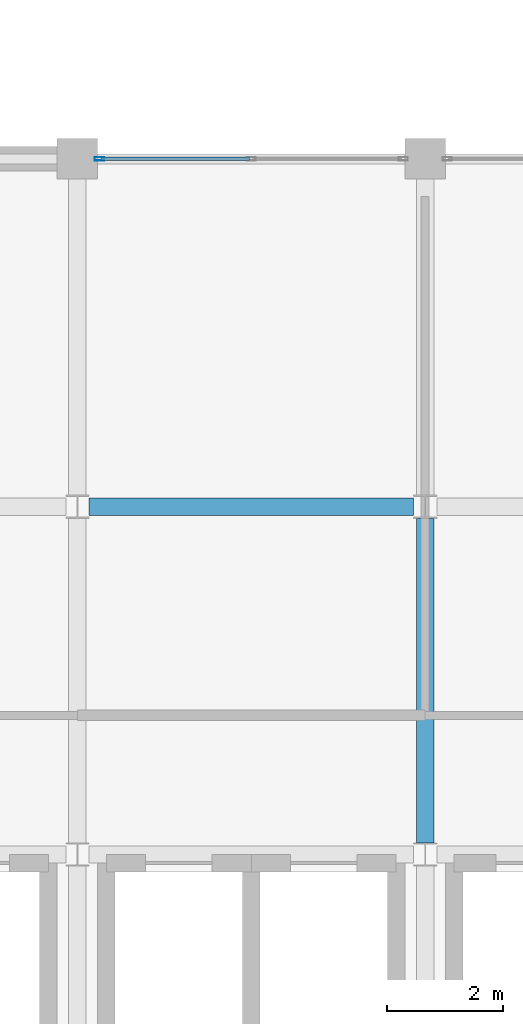
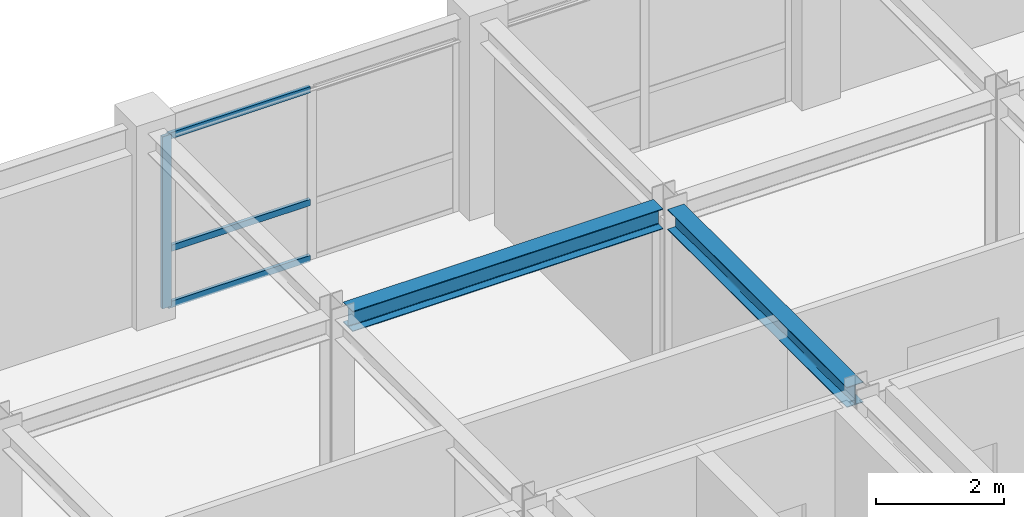
# One storey, part 15 of 25: 4 members, 2 beams, 1 element without a shape of its own.
"""IFC4 building model written with IfcOpenShell, lengths in metres."""

import ifcopenshell
import ifcopenshell.guid

model = None  # the IFC model being written
_history = None  # IfcOwnerHistory: only IFC2X3 demands one
_inside = {}  # id of a spatial element -> (the spatial element, [elements in it])
_under = {}  # id of a project, library or spatial element -> (it, [spatial elements below it])
_declared = {}  # id of a project -> (the project, [libraries it declares])
_typed = {}  # id of a type object -> (the type object, [elements of that type])
_made_of = {}  # id of a material, layer set ... -> (it, [elements and type objects made of it])


def new_model(schema):
    """Start an empty IFC model of exactly this schema.

    Asked for "IFC4X3", IfcOpenShell would pick the latest addendum, in which some entities
    have other attributes; the version numbers below select the first issue.
    IFC2X3 requires an IfcOwnerHistory on every rooted entity: one is made here for all.
    """
    global model, _history
    if schema == "IFC4X3":
        model = ifcopenshell.file(schema_version=(4, 3, 0, 0))
    else:
        model = ifcopenshell.file(schema=schema)
    _inside.clear()
    _under.clear()
    _declared.clear()
    _typed.clear()
    _made_of.clear()
    _history = None
    if model.schema == "IFC2X3":
        org = make("IfcOrganization", Name="unknown")
        user = make(
            "IfcPersonAndOrganization",
            ThePerson=make("IfcPerson", FamilyName="unknown"),
            TheOrganization=org,
        )
        app = make(
            "IfcApplication",
            ApplicationDeveloper=org,
            Version="unknown",
            ApplicationFullName="unknown",
            ApplicationIdentifier="unknown",
        )
        _history = make(
            "IfcOwnerHistory",
            OwningUser=user,
            OwningApplication=app,
            ChangeAction="ADDED",
            CreationDate=0,
        )
    return model


def make(cls, **values):
    """One entity of the class cls with the attributes given. An attribute that is None is left unset."""
    return model.create_entity(
        cls, **{name: value for name, value in values.items() if value is not None}
    )


def rooted(cls, **values):
    """An entity with a GlobalId (a new one), such as an element, a storey or a relation."""
    return make(cls, GlobalId=ifcopenshell.guid.new(), OwnerHistory=_history, **values)


def si_unit(unit_type, name, prefix=None):
    """IfcSIUnit, for example si_unit("LENGTHUNIT", "METRE", prefix="MILLI")."""
    return make("IfcSIUnit", UnitType=unit_type, Prefix=prefix, Name=name)


def assignment(units):
    """IfcUnitAssignment: the units of a project."""
    return None if units is None else make("IfcUnitAssignment", Units=units)


def point(xyz):
    """IfcCartesianPoint."""
    return None if xyz is None else make("IfcCartesianPoint", Coordinates=xyz)


def direction(xyz):
    """IfcDirection."""
    return None if xyz is None else make("IfcDirection", DirectionRatios=xyz)


def frame(location, z_axis=None, x_axis=None):
    """IfcAxis2Placement3D, a coordinate frame: its origin and axes. An axis left out is left unset."""
    return make(
        "IfcAxis2Placement3D",
        Location=point(location),
        Axis=direction(z_axis),
        RefDirection=direction(x_axis),
    )


def frame_2d(location, x_axis=None):
    """IfcAxis2Placement2D, a coordinate frame in the plane: its origin and x axis."""
    return make(
        "IfcAxis2Placement2D", Location=point(location), RefDirection=direction(x_axis)
    )


def origin():
    """The frame at (0, 0, 0) with its axes left unset."""
    return frame((0.0, 0.0, 0.0))


def origin_2d():
    """The frame at (0, 0) in the plane with its x axis left unset."""
    return frame_2d((0.0, 0.0))


def place(relative_to, where):
    """IfcLocalPlacement: puts the frame where relative to a parent placement (None: the world)."""
    return make(
        "IfcLocalPlacement", PlacementRelTo=relative_to, RelativePlacement=where
    )


def context(
    kind, dimensions, precision=None, world=None, true_north=None, identifier=None
):
    """IfcGeometricRepresentationContext, for example the 3D "Model" context."""
    return make(
        "IfcGeometricRepresentationContext",
        ContextIdentifier=identifier,
        ContextType=kind,
        CoordinateSpaceDimension=dimensions,
        Precision=precision,
        WorldCoordinateSystem=world,
        TrueNorth=true_north,
    )


def subcontext(parent, identifier, kind, view, scale=None):
    """IfcGeometricRepresentationSubContext, for example "Body" below "Model"."""
    return make(
        "IfcGeometricRepresentationSubContext",
        ContextIdentifier=identifier,
        ContextType=kind,
        ParentContext=parent,
        TargetScale=scale,
        TargetView=view,
    )


def project(units=None, contexts=None):
    """IfcProject with its units and contexts."""
    return rooted(
        "IfcProject",
        Name="project",
        RepresentationContexts=contexts,
        UnitsInContext=assignment(units),
    )


def spatial(cls, under=None, at=None, **own):
    """A site, building, storey or space (cls), placed at a placement, below another one or the project."""
    s = rooted(cls, ObjectPlacement=at, **own)
    if under is not None:
        _under.setdefault(under.id(), (under, []))[1].append(s)
    return s


def profile(cls, at=None, kind="AREA", **sizes):
    """A parametric profile (cls). Its sizes go by their IFC names, for example OverallWidth=200.0."""
    return make(cls, ProfileType=kind, Position=at, **sizes)


def hollow_rectangle(**sizes):
    """IfcRectangleHollowProfileDef."""
    return profile("IfcRectangleHollowProfileDef", **sizes)


def i_section(**sizes):
    """IfcIShapeProfileDef."""
    return profile("IfcIShapeProfileDef", **sizes)


def extrude(swept, where, along, depth):
    """IfcExtrudedAreaSolid: the profile swept, set in the frame where, extruded along a direction by depth."""
    return make(
        "IfcExtrudedAreaSolid",
        SweptArea=swept,
        Position=where,
        ExtrudedDirection=direction(along),
        Depth=depth,
    )


def shape(context_of_items, identifier, shape_type, items):
    """IfcShapeRepresentation: the items that make up one representation, for example the "Body"."""
    return make(
        "IfcShapeRepresentation",
        ContextOfItems=context_of_items,
        RepresentationIdentifier=identifier,
        RepresentationType=shape_type,
        Items=items,
    )


def material(Name=None, Category=None):
    """IfcMaterial."""
    return make("IfcMaterial", Name=Name, Category=Category)


def layer(
    of_material, thickness, ventilated=None, Name=None, Category=None, Priority=None
):
    """IfcMaterialLayer: one layer of a wall or slab, of a material (None: an air gap)."""
    return make(
        "IfcMaterialLayer",
        Material=of_material,
        LayerThickness=thickness,
        IsVentilated=ventilated,
        Name=Name,
        Category=Category,
        Priority=Priority,
    )


def layer_set(layers, Name=None):
    """IfcMaterialLayerSet."""
    return make("IfcMaterialLayerSet", MaterialLayers=layers, LayerSetName=Name)


def material_profile(
    of_material, cross_section, Name=None, Category=None, Priority=None
):
    """IfcMaterialProfile: a cross section and its material."""
    return make(
        "IfcMaterialProfile",
        Name=Name,
        Material=of_material,
        Profile=cross_section,
        Priority=Priority,
        Category=Category,
    )


def profile_set(profiles, Name=None, composite=None):
    """IfcMaterialProfileSet."""
    return make(
        "IfcMaterialProfileSet",
        Name=Name,
        MaterialProfiles=profiles,
        CompositeProfile=composite,
    )


def made_of(thing, what):
    """Note that an element or type object is made of a material, layer set ...; save() writes the relation."""
    if what is not None:
        _made_of.setdefault(what.id(), (what, []))[1].append(thing)
    return thing


def type_object(cls, material=None, **own):
    """A type object (cls), such as IfcWallType, which elements share."""
    return made_of(rooted(cls, **own), material)


def element(
    cls,
    number,
    at=None,
    inside=None,
    cuts=None,
    type_object=None,
    material=None,
    context=None,
    identifier="Body",
    shape_type=None,
    held_by="IfcProductDefinitionShape",
    body=None,
    shapes=None,
    **own,
):
    """One element of the class cls, such as IfcWall. Its Tag is "e" and its number.

    at: its placement. inside: the storey or other place that contains it. cuts: it is an
    opening in that element (IfcRelVoidsElement). A single representation is given by context,
    identifier, shape_type and body (its items); several are given by shapes. held_by: the class
    of the entity that holds the representations. save() writes the other relations.
    """
    e = rooted(cls, Tag="e%d" % number, ObjectPlacement=at, **own)
    if body is not None:
        shapes = [shape(context, identifier, shape_type, body)]
    if shapes is not None:
        e.Representation = make(held_by, Representations=shapes)
    if inside is not None:
        _inside.setdefault(inside.id(), (inside, []))[1].append(e)
    if cuts is not None:
        rooted(
            "IfcRelVoidsElement", RelatingBuildingElement=cuts, RelatedOpeningElement=e
        )
    if type_object is not None:
        _typed.setdefault(type_object.id(), (type_object, []))[1].append(e)
    return made_of(e, material)


def aggregate(whole, parts):
    """IfcRelAggregates: a whole, such as a stair, and the parts it consists of."""
    return rooted("IfcRelAggregates", RelatingObject=whole, RelatedObjects=parts)


def save(model, path):
    """Write the relations noted so far, then the file.

    IfcRelAggregates (storeys below a building ...), IfcRelContainedInSpatialStructure (elements
    in a storey), IfcRelDefinesByType, IfcRelAssociatesMaterial and IfcRelDeclares: one each for
    every whole, place, type object, material and project.
    """
    for whole, parts in _under.values():
        aggregate(whole, parts)
    for where, things in _inside.values():
        rooted(
            "IfcRelContainedInSpatialStructure",
            RelatedElements=things,
            RelatingStructure=where,
        )
    for kind, things in _typed.values():
        rooted("IfcRelDefinesByType", RelatedObjects=things, RelatingType=kind)
    for what, things in _made_of.values():
        rooted("IfcRelAssociatesMaterial", RelatedObjects=things, RelatingMaterial=what)
    for by, libraries in _declared.values():
        rooted("IfcRelDeclares", RelatingContext=by, RelatedDefinitions=libraries)
    model.write(path)


model = new_model("IFC4")

# Units and contexts
model_context = context("Model", 3, precision=1e-05, world=origin(), true_north=direction((0.0, 1.0)))
body_context = subcontext(model_context, "Body", "Model", "MODEL_VIEW")
ifc_project = project(units=[si_unit("LENGTHUNIT", "METRE"), si_unit("AREAUNIT", "SQUARE_METRE"), si_unit("VOLUMEUNIT", "CUBIC_METRE"), si_unit("PLANEANGLEUNIT", "RADIAN"), si_unit("MASSUNIT", "GRAM", prefix="KILO")], contexts=[model_context])

# Site, building, storey
site_placement = place(None, origin())
site = spatial("IfcSite", under=ifc_project, at=site_placement, CompositionType="ELEMENT")
building_placement = place(site_placement, origin())
building = spatial("IfcBuilding", under=site, at=building_placement, Name="Zlatovratsky Civic Hall", CompositionType="ELEMENT")
storey_placement = place(building_placement, frame((0.0, 0.0, 21.0)))
storey = spatial("IfcBuildingStorey", under=building, at=storey_placement, Name="L05", CompositionType="ELEMENT", Elevation=21.0)

# Beams
ifc_material_1 = material(Name="Steel S355", Category="steel")
ifc_material_profile_1 = material_profile(ifc_material_1, i_section(OverallWidth=0.300048828125, OverallDepth=0.387939453125, WebThickness=0.009521484375, FlangeThickness=0.013916015625, FilletRadius=0.02197265625, at=origin_2d()), Name="40Sh1")
ifc_profile_set_1 = profile_set([ifc_material_profile_1], Name="Steel S355")
beam_type = type_object("IfcBeamType", Name="Beam_TowerMid_40Sh1", PredefinedType="BEAM", material=ifc_profile_set_1)
for number, where, z_axis, x_axis, name in (
    (1, (78.199951171875, 102.0, 3.506103515625), (1.0, 0.0, 0.0), (0.0, 1.0, 0.0), "BM-3983"),
    (2, (84.0, 96.199951171875, 3.506103515625), (0.0, 1.0, 0.0), (-1.0, 0.0, 0.0), "BM-4051"),
):
    element("IfcBeam", number, at=place(storey_placement, frame(where, z_axis=z_axis, x_axis=x_axis)), inside=storey, type_object=beam_type, Name=name, PredefinedType="BEAM", context=body_context, shape_type="SweptSolid", body=[
        extrude(i_section(OverallWidth=0.300048828125, OverallDepth=0.387939453125, WebThickness=0.009521484375, FlangeThickness=0.013916015625, FilletRadius=0.02197265625, at=origin_2d()), origin(), (0.0, 0.0, 1.0), 5.60009765625),
    ])

# Curtain wall, members
ifc_material_2 = material(Name="Anodised bronze aluminium", Category="aluminium")
ifc_layer = layer(ifc_material_2, 0.159912109375)
ifc_layer_set = layer_set([ifc_layer], Name="Anodised bronze aluminium")
curtain_wall_type = type_object("IfcCurtainWallType", Name="CurtainWall_Bronze_5300x3280_20", PredefinedType="NOTDEFINED", material=ifc_layer_set)
curtain_wall_placement = place(storey_placement, origin())
curtain_wall = element("IfcCurtainWall", 3, at=curtain_wall_placement, inside=storey, type_object=curtain_wall_type, Name="CW-131", PredefinedType="NOTDEFINED")
ifc_material_profile_2 = material_profile(ifc_material_2, hollow_rectangle(XDim=0.06005859375, YDim=0.159912109375, WallThickness=0.00390625, at=origin_2d()), Name="ALU 60x160x4")
ifc_profile_set_2 = profile_set([ifc_material_profile_2], Name="Anodised bronze aluminium")
member_type_1 = type_object("IfcMemberType", Name="CW_Mullion_60x160", PredefinedType="MULLION", material=ifc_profile_set_2)
member_1_placement = place(storey_placement, frame((78.3798828125, 108.0, 0.0), z_axis=(0.0, 0.0, 1.0), x_axis=(0.0, 1.0, 0.0)))
member_1 = element("IfcMember", 4, at=member_1_placement, type_object=member_type_1, Name="CW-20 mullion 1", PredefinedType="MULLION", context=body_context, shape_type="SweptSolid", body=[
    extrude(hollow_rectangle(XDim=0.06005859375, YDim=0.159912109375, WallThickness=0.00390625, at=origin_2d()), origin(), (0.0, 0.0, 1.0), 3.280029296875),
])
ifc_material_profile_3 = material_profile(ifc_material_2, hollow_rectangle(XDim=0.06005859375, YDim=0.1201171875, WallThickness=0.00390625, at=origin_2d()), Name="ALU 60x120x4")
ifc_profile_set_3 = profile_set([ifc_material_profile_3], Name="Anodised bronze aluminium")
member_type_2 = type_object("IfcMemberType", Name="CW_Transom_60x120", PredefinedType="USERDEFINED", material=ifc_profile_set_3)
member_2_placement = place(storey_placement, frame((78.409912109375, 108.0, 0.030029296875), z_axis=(1.0, 0.0, 0.0), x_axis=(0.0, 1.0, 0.0)))
member_2 = element("IfcMember", 5, at=member_2_placement, type_object=member_type_2, Name="CW-20 transom 1.1", ObjectType="TRANSOM", PredefinedType="USERDEFINED", context=body_context, shape_type="SweptSolid", body=[
    extrude(hollow_rectangle(XDim=0.06005859375, YDim=0.1201171875, WallThickness=0.00390625, at=origin_2d()), origin(), (0.0, 0.0, 1.0), 2.56005859375),
])
member_3_placement = place(storey_placement, frame((78.409912109375, 108.0, 1.10009765625), z_axis=(1.0, 0.0, 0.0), x_axis=(0.0, 1.0, 0.0)))
member_3 = element("IfcMember", 6, at=member_3_placement, type_object=member_type_2, Name="CW-20 transom 1.2", ObjectType="TRANSOM", PredefinedType="USERDEFINED", context=body_context, shape_type="SweptSolid", body=[
    extrude(hollow_rectangle(XDim=0.06005859375, YDim=0.1201171875, WallThickness=0.00390625, at=origin_2d()), origin(), (0.0, 0.0, 1.0), 2.56005859375),
])
member_4_placement = place(storey_placement, frame((78.409912109375, 108.0, 3.25), z_axis=(1.0, 0.0, 0.0), x_axis=(0.0, 1.0, 0.0)))
member_4 = element("IfcMember", 7, at=member_4_placement, type_object=member_type_2, Name="CW-20 transom 1.3", ObjectType="TRANSOM", PredefinedType="USERDEFINED", context=body_context, shape_type="SweptSolid", body=[
    extrude(hollow_rectangle(XDim=0.06005859375, YDim=0.1201171875, WallThickness=0.00390625, at=origin_2d()), origin(), (0.0, 0.0, 1.0), 2.56005859375),
])
aggregate(curtain_wall, [member_1, member_2, member_3, member_4])

save(model, "model.ifc")
